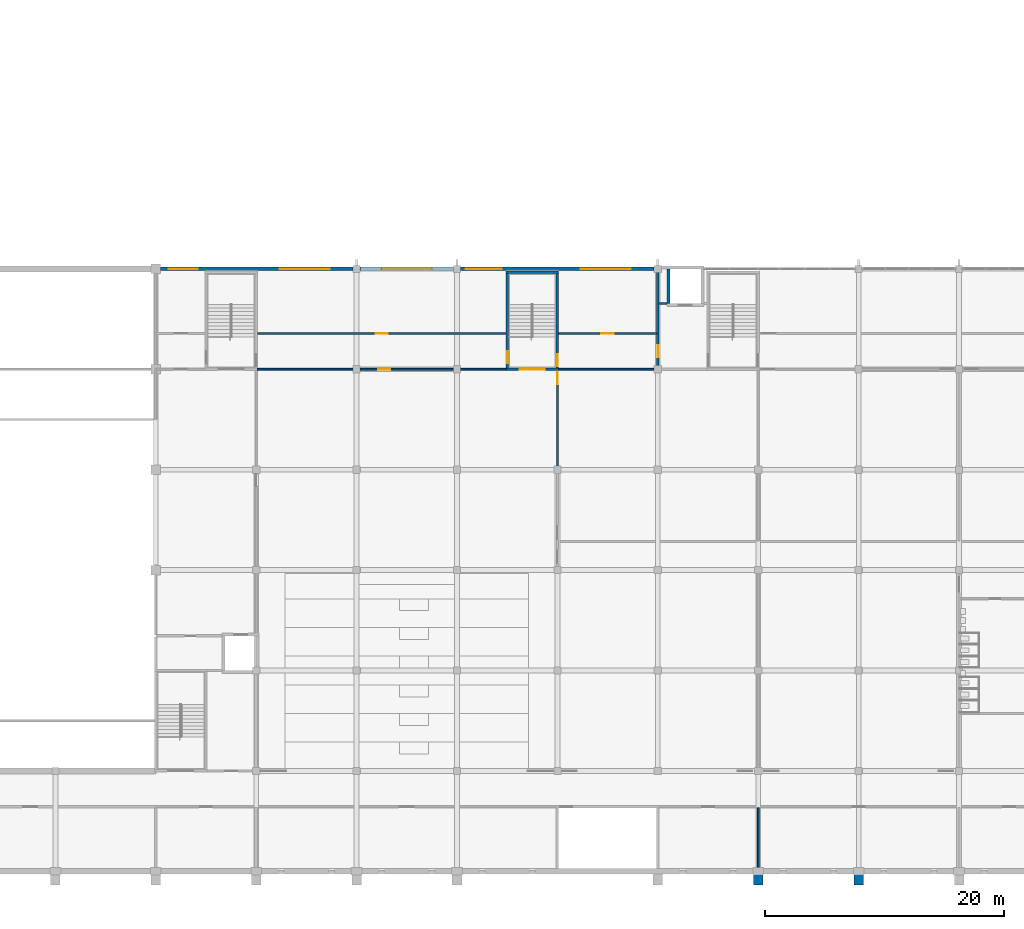
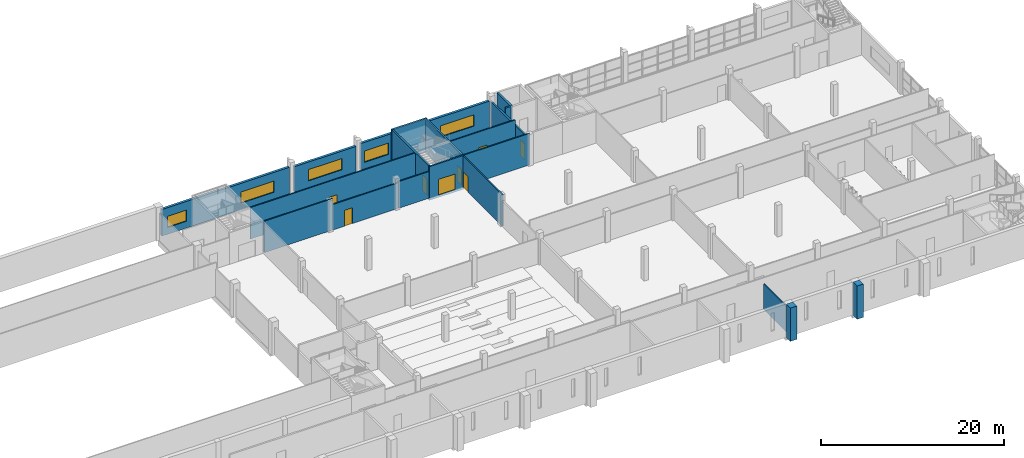
# One storey, part 23 of 56: 20 walls, 8 doors, 5 windows, 13 openings.
"""IFC4 building model written with IfcOpenShell, lengths in metres."""

from ifc_helpers import new_model, si_unit, direction, frame, frame_2d, origin, place, context, subcontext, project, spatial, rectangle, extrude, material, layer, layer_set, type_object, element, fill, save


model = new_model("IFC4")

# Units and contexts
model_context = context("Model", 3, precision=1e-05, world=origin(), true_north=direction((0.0, 1.0)))
body_context = subcontext(model_context, "Body", "Model", "MODEL_VIEW")
ifc_project = project(units=[si_unit("LENGTHUNIT", "METRE"), si_unit("AREAUNIT", "SQUARE_METRE"), si_unit("VOLUMEUNIT", "CUBIC_METRE"), si_unit("PLANEANGLEUNIT", "RADIAN"), si_unit("MASSUNIT", "GRAM", prefix="KILO")], contexts=[model_context])

# Site, building, storey
site_placement = place(None, origin())
site = spatial("IfcSite", under=ifc_project, at=site_placement, CompositionType="ELEMENT")
building_placement = place(site_placement, origin())
building = spatial("IfcBuilding", under=site, at=building_placement, Name="Rulbaag Community and Learning Centre", CompositionType="ELEMENT")
storey_placement = place(building_placement, frame((0.0, 0.0, 9.89990234375)))
storey = spatial("IfcBuildingStorey", under=building, at=storey_placement, Name="L02", CompositionType="ELEMENT", Elevation=9.89990234375)

# Walls
ifc_material_1 = material(Name="Concrete M40", Category="concrete")
ifc_layer_1 = layer(ifc_material_1, 0.800048828125)
ifc_layer_set_1 = layer_set([ifc_layer_1], Name="EW-BTR")
wall_type_1 = type_object("IfcWallType", Name="EW-BTR", PredefinedType="SOLIDWALL", material=ifc_layer_set_1)
for number, where, z_axis, x_axis, name in (
    (1, (134.39990234375, -0.22509765625, -0.25), (0.0, 0.0, 1.0), (0.0, -1.0, 0.0), "Buttress pier"),
    (2, (142.800048828125, -0.22509765625, -0.25), (0.0, 0.0, 1.0), (0.0, -1.0, 0.0), "Buttress pier"),
):
    element("IfcWall", number, at=place(storey_placement, frame(where, z_axis=z_axis, x_axis=x_axis)), inside=storey, type_object=wall_type_1, Name=name, PredefinedType="SOLIDWALL", context=body_context, shape_type="SweptSolid", body=[
        extrude(rectangle(XDim=0.89990234375, YDim=0.800048828125, at=frame_2d((0.449951171875, 0.0))), origin(), (0.0, 0.0, 1.0), 4.4501953125),
    ])

# Wall, openings, windows
ifc_layer_2 = layer(ifc_material_1, 0.300048828125)
ifc_layer_set_2 = layer_set([ifc_layer_2], Name="EW-CONC300")
wall_type_2 = type_object("IfcWallType", Name="EW-CONC300", PredefinedType="STANDARD", material=ifc_layer_set_2)
wall_1_placement = place(storey_placement, frame((84.39990234375, 50.39990234375, 0.0), z_axis=(0.0, 0.0, 1.0), x_axis=(1.0, 0.0, 0.0)))
wall_1 = element("IfcWall", 3, at=wall_1_placement, inside=storey, type_object=wall_type_2, Name="Board-marked concrete cladding wall AN", PredefinedType="STANDARD", context=body_context, shape_type="SweptSolid", body=[
    extrude(rectangle(XDim=16.10009765625, YDim=0.300048828125, at=frame_2d((8.050048828125, 0.0))), origin(), (0.0, 0.0, 1.0), 3.550048828125),
])
opening_1_placement = place(wall_1_placement, frame((0.699951171875, 0.0, 0.89990234375)))
opening_1 = element("IfcOpeningElement", 4, at=opening_1_placement, cuts=wall_1, Name="Opening WN17", PredefinedType="OPENING", context=body_context, shape_type="SweptSolid", body=[
    extrude(rectangle(XDim=2.39990234375, YDim=1.5, at=frame_2d((1.199951171875, 0.75))), frame((0.0, 0.159912109375, 0.0), z_axis=(0.0, -1.0, 0.0), x_axis=(1.0, 0.0, 0.0)), (0.0, 0.0, 1.0), 0.320068359375),
])
opening_2_placement = place(wall_1_placement, frame((9.949951171875, 0.0, 0.89990234375)))
opening_2 = element("IfcOpeningElement", 5, at=opening_2_placement, cuts=wall_1, Name="Opening WN4", PredefinedType="OPENING", context=body_context, shape_type="SweptSolid", body=[
    extrude(rectangle(XDim=4.199951171875, YDim=1.5, at=frame_2d((2.10009765625, 0.75))), frame((0.0, 0.159912109375, 0.0), z_axis=(0.0, -1.0, 0.0), x_axis=(1.0, 0.0, 0.0)), (0.0, 0.0, 1.0), 0.320068359375),
])
ifc_material_2 = material(Name="Aluminium", Category="aluminium")
window_type_1 = type_object("IfcWindowType", Name="WN-24", PartitioningType="DOUBLE_PANEL_VERTICAL", PredefinedType="WINDOW", material=ifc_material_2)
window_1_placement = place(opening_1_placement, origin())
window_1 = element("IfcWindow", 6, at=window_1_placement, inside=storey, type_object=window_type_1, Name="Window WN17", OverallHeight=1.5, OverallWidth=2.39990234375, PartitioningType="SINGLE_PANEL", PredefinedType="WINDOW", context=body_context, shape_type="SweptSolid", body=[
    extrude(rectangle(XDim=2.39990234375, YDim=1.5, at=frame_2d((1.199951171875, 0.75))), frame((0.0, 0.030029296875, 0.0), z_axis=(0.0, -1.0, 0.0), x_axis=(1.0, 0.0, 0.0)), (0.0, 0.0, 1.0), 0.06005859375),
])
fill(opening_1, window_1)
window_type_2 = type_object("IfcWindowType", Name="WN-42", PartitioningType="TRIPLE_PANEL_VERTICAL", PredefinedType="WINDOW", material=ifc_material_2)
window_2_placement = place(opening_2_placement, origin())
window_2 = element("IfcWindow", 7, at=window_2_placement, inside=storey, type_object=window_type_2, Name="Window WN4", OverallHeight=1.5, OverallWidth=4.199951171875, PartitioningType="SINGLE_PANEL", PredefinedType="WINDOW", context=body_context, shape_type="SweptSolid", body=[
    extrude(rectangle(XDim=4.199951171875, YDim=1.5, at=frame_2d((2.10009765625, 0.75))), frame((0.0, 0.030029296875, 0.0), z_axis=(0.0, -1.0, 0.0), x_axis=(1.0, 0.0, 0.0)), (0.0, 0.0, 1.0), 0.06005859375),
])
fill(opening_2, window_2)

# Wall, opening, window
wall_2_placement = place(storey_placement, frame((101.10009765625, 50.39990234375, 0.0), z_axis=(0.0, 0.0, 1.0), x_axis=(1.0, 0.0, 0.0)))
wall_2 = element("IfcWall", 8, at=wall_2_placement, inside=storey, type_object=wall_type_2, Name="Board-marked concrete cladding wall AN", PredefinedType="STANDARD", context=body_context, shape_type="SweptSolid", body=[
    extrude(rectangle(XDim=7.7998046875, YDim=0.300048828125, at=frame_2d((3.89990234375, 0.0))), origin(), (0.0, 0.0, 1.0), 3.400146484375),
])
opening_3_placement = place(wall_2_placement, frame((1.800048828125, 0.0, 0.89990234375)))
opening_3 = element("IfcOpeningElement", 9, at=opening_3_placement, cuts=wall_2, Name="Opening WN4", PredefinedType="OPENING", context=body_context, shape_type="SweptSolid", body=[
    extrude(rectangle(XDim=4.199951171875, YDim=1.5, at=frame_2d((2.10009765625, 0.75))), frame((0.0, 0.159912109375, 0.0), z_axis=(0.0, -1.0, 0.0), x_axis=(1.0, 0.0, 0.0)), (0.0, 0.0, 1.0), 0.320068359375),
])
window_3_placement = place(opening_3_placement, origin())
window_3 = element("IfcWindow", 10, at=window_3_placement, inside=storey, type_object=window_type_2, Name="Window WN4", OverallHeight=1.5, OverallWidth=4.199951171875, PartitioningType="SINGLE_PANEL", PredefinedType="WINDOW", context=body_context, shape_type="SweptSolid", body=[
    extrude(rectangle(XDim=4.199951171875, YDim=1.5, at=frame_2d((2.10009765625, 0.75))), frame((0.0, 0.030029296875, 0.0), z_axis=(0.0, -1.0, 0.0), x_axis=(1.0, 0.0, 0.0)), (0.0, 0.0, 1.0), 0.06005859375),
])
fill(opening_3, window_3)

# Wall, openings, windows
wall_3_placement = place(storey_placement, frame((109.5, 50.39990234375, 0.0), z_axis=(0.0, 0.0, 1.0), x_axis=(1.0, 0.0, 0.0)))
wall_3 = element("IfcWall", 11, at=wall_3_placement, inside=storey, type_object=wall_type_2, Name="Board-marked concrete cladding wall AN", PredefinedType="STANDARD", context=body_context, shape_type="SweptSolid", body=[
    extrude(rectangle(XDim=16.199951171875, YDim=0.300048828125, at=frame_2d((8.10009765625, 0.0))), origin(), (0.0, 0.0, 1.0), 3.550048828125),
])
opening_4_placement = place(wall_3_placement, frame((0.449951171875, 0.0, 0.89990234375)))
opening_4 = element("IfcOpeningElement", 12, at=opening_4_placement, cuts=wall_3, Name="Opening WN3", PredefinedType="OPENING", context=body_context, shape_type="SweptSolid", body=[
    extrude(rectangle(XDim=3.0, YDim=1.5, at=frame_2d((1.5, 0.75))), frame((0.0, 0.159912109375, 0.0), z_axis=(0.0, -1.0, 0.0), x_axis=(1.0, 0.0, 0.0)), (0.0, 0.0, 1.0), 0.320068359375),
])
opening_5_placement = place(wall_3_placement, frame((10.050048828125, 0.0, 0.89990234375)))
opening_5 = element("IfcOpeningElement", 13, at=opening_5_placement, cuts=wall_3, Name="Opening WN4", PredefinedType="OPENING", context=body_context, shape_type="SweptSolid", body=[
    extrude(rectangle(XDim=4.199951171875, YDim=1.5, at=frame_2d((2.10009765625, 0.75))), frame((0.0, 0.159912109375, 0.0), z_axis=(0.0, -1.0, 0.0), x_axis=(1.0, 0.0, 0.0)), (0.0, 0.0, 1.0), 0.320068359375),
])
window_type_3 = type_object("IfcWindowType", Name="WN-30", PartitioningType="TRIPLE_PANEL_VERTICAL", PredefinedType="WINDOW", material=ifc_material_2)
window_4_placement = place(opening_4_placement, origin())
window_4 = element("IfcWindow", 14, at=window_4_placement, inside=storey, type_object=window_type_3, Name="Window WN3", OverallHeight=1.5, OverallWidth=3.0, PartitioningType="SINGLE_PANEL", PredefinedType="WINDOW", context=body_context, shape_type="SweptSolid", body=[
    extrude(rectangle(XDim=3.0, YDim=1.5, at=frame_2d((1.5, 0.75))), frame((0.0, 0.030029296875, 0.0), z_axis=(0.0, -1.0, 0.0), x_axis=(1.0, 0.0, 0.0)), (0.0, 0.0, 1.0), 0.06005859375),
])
fill(opening_4, window_4)
window_5_placement = place(opening_5_placement, origin())
window_5 = element("IfcWindow", 15, at=window_5_placement, inside=storey, type_object=window_type_2, Name="Window WN4", OverallHeight=1.5, OverallWidth=4.199951171875, PartitioningType="SINGLE_PANEL", PredefinedType="WINDOW", context=body_context, shape_type="SweptSolid", body=[
    extrude(rectangle(XDim=4.199951171875, YDim=1.5, at=frame_2d((2.10009765625, 0.75))), frame((0.0, 0.030029296875, 0.0), z_axis=(0.0, -1.0, 0.0), x_axis=(1.0, 0.0, 0.0)), (0.0, 0.0, 1.0), 0.06005859375),
])
fill(opening_5, window_5)

# Wall
ifc_material_3 = material(Name="Concrete blockwork", Category="masonry")
ifc_layer_3 = layer(ifc_material_3, 0.199951171875)
ifc_layer_set_3 = layer_set([ifc_layer_3], Name="FW-200 FIRE WALL 200")
wall_type_3 = type_object("IfcWallType", Name="FW-200 FIRE WALL 200", PredefinedType="SOLIDWALL", material=ifc_layer_set_3)
wall_4_placement = place(storey_placement, frame((126.10009765625, 47.5, 0.0), z_axis=(0.0, 0.0, 1.0), x_axis=(1.0, 0.0, 0.0)))
element("IfcWall", 16, at=wall_4_placement, inside=storey, type_object=wall_type_3, Name="Fire wall L02 36", PredefinedType="SOLIDWALL", context=body_context, shape_type="SweptSolid", body=[
    extrude(rectangle(XDim=0.64990234375, YDim=0.199951171875, at=frame_2d((0.324951171875, 0.0))), origin(), (0.0, 0.0, 1.0), 4.2001953125),
])

# Wall, opening, door
wall_5_placement = place(storey_placement, frame((126.0, 42.10009765625, 0.0), z_axis=(0.0, 0.0, 1.0), x_axis=(0.0, 1.0, 0.0)))
wall_5 = element("IfcWall", 17, at=wall_5_placement, inside=storey, type_object=wall_type_3, Name="Fire wall L02 66", PredefinedType="SOLIDWALL", context=body_context, shape_type="SweptSolid", body=[
    extrude(rectangle(XDim=8.2998046875, YDim=0.199951171875, at=frame_2d((4.14990234375, 0.0))), origin(), (0.0, 0.0, 1.0), 3.400146484375),
])
opening_6_placement = place(wall_5_placement, frame((0.89990234375, 0.0, 0.0)))
opening_6 = element("IfcOpeningElement", 18, at=opening_6_placement, cuts=wall_5, Name="Opening L02-D069", PredefinedType="OPENING", context=body_context, shape_type="SweptSolid", body=[
    extrude(rectangle(XDim=1.0, YDim=2.10009765625, at=frame_2d((0.5, 1.050048828125))), frame((0.0, 0.10986328125, 0.0), z_axis=(0.0, -1.0, 0.0), x_axis=(1.0, 0.0, 0.0)), (0.0, 0.0, 1.0), 0.219970703125),
])
ifc_material_4 = material(Name="Galvanised steel", Category="steel")
door_type_1 = type_object("IfcDoorType", Name="FD-1000 FIRE DOOR 1000 x 2100", OperationType="SINGLE_SWING_LEFT", PredefinedType="DOOR", material=ifc_material_4)
door_1_placement = place(opening_6_placement, origin())
door_1 = element("IfcDoor", 19, at=door_1_placement, inside=storey, type_object=door_type_1, Name="Door L02-D069", OperationType="SINGLE_SWING_LEFT", OverallHeight=2.10009765625, OverallWidth=1.0, PredefinedType="DOOR", context=body_context, shape_type="SweptSolid", body=[
    extrude(rectangle(XDim=1.0, YDim=2.10009765625, at=frame_2d((0.5, 1.050048828125))), frame((0.0, 0.02490234375, 0.0), z_axis=(0.0, -1.0, 0.0), x_axis=(1.0, 0.0, 0.0)), (0.0, 0.0, 1.0), 0.050048828125),
])
fill(opening_6, door_1)

# Wall
ifc_layer_4 = layer(ifc_material_3, 0.14990234375)
ifc_layer_set_4 = layer_set([ifc_layer_4], Name="IP-150 PARTITION 150")
wall_type_4 = type_object("IfcWallType", Name="IP-150 PARTITION 150", PredefinedType="PARTITIONING", material=ifc_layer_set_4)
wall_6_placement = place(storey_placement, frame((92.5, 42.0, 0.0), z_axis=(0.0, 0.0, 1.0), x_axis=(1.0, 0.0, 0.0)))
element("IfcWall", 20, at=wall_6_placement, inside=storey, type_object=wall_type_4, Name="Partition L02 26", PredefinedType="PARTITIONING", context=body_context, shape_type="SweptSolid", body=[
    extrude(rectangle(XDim=8.580078125, YDim=0.14990234375, at=frame_2d((4.2900390625, 0.0))), origin(), (0.0, 0.0, 1.0), 4.2001953125),
])

# Wall, opening, door
wall_7_placement = place(storey_placement, frame((101.080078125, 42.0, 0.0), z_axis=(0.0, 0.0, 1.0), x_axis=(1.0, 0.0, 0.0)))
wall_7 = element("IfcWall", 21, at=wall_7_placement, inside=storey, type_object=wall_type_4, Name="Partition L02 26.2", PredefinedType="PARTITIONING", context=body_context, shape_type="SweptSolid", body=[
    extrude(rectangle(XDim=8.31982421875, YDim=0.14990234375, at=frame_2d((4.159912109375, 0.0))), origin(), (0.0, 0.0, 1.0), 3.400146484375),
])
opening_7_placement = place(wall_7_placement, frame((1.52001953125, 0.0, 0.0)))
opening_7 = element("IfcOpeningElement", 22, at=opening_7_placement, cuts=wall_7, Name="Opening L02-D057", PredefinedType="OPENING", context=body_context, shape_type="SweptSolid", body=[
    extrude(rectangle(XDim=1.0, YDim=2.10009765625, at=frame_2d((0.5, 1.050048828125))), frame((0.0, 0.0849609375, 0.0), z_axis=(0.0, -1.0, 0.0), x_axis=(1.0, 0.0, 0.0)), (0.0, 0.0, 1.0), 0.169921875),
])
ifc_material_5 = material(Name="Timber", Category="wood")
door_type_2 = type_object("IfcDoorType", Name="D-1000 DOOR 1000 x 2100", OperationType="SINGLE_SWING_LEFT", PredefinedType="DOOR", material=ifc_material_5)
door_2_placement = place(opening_7_placement, origin())
door_2 = element("IfcDoor", 23, at=door_2_placement, inside=storey, type_object=door_type_2, Name="Door L02-D057", OperationType="SINGLE_SWING_RIGHT", OverallHeight=2.10009765625, OverallWidth=1.0, PredefinedType="DOOR", context=body_context, shape_type="SweptSolid", body=[
    extrude(rectangle(XDim=1.0, YDim=2.10009765625, at=frame_2d((0.5, 1.050048828125))), frame((0.0, 0.02490234375, 0.0), z_axis=(0.0, -1.0, 0.0), x_axis=(1.0, 0.0, 0.0)), (0.0, 0.0, 1.0), 0.050048828125),
])
fill(opening_7, door_2)

# Walls
wall_8_placement = place(storey_placement, frame((109.39990234375, 42.0, 0.0), z_axis=(0.0, 0.0, 1.0), x_axis=(1.0, 0.0, 0.0)))
element("IfcWall", 24, at=wall_8_placement, inside=storey, type_object=wall_type_4, Name="Partition L02 26.3", PredefinedType="PARTITIONING", context=body_context, shape_type="SweptSolid", body=[
    extrude(rectangle(XDim=3.900146484375, YDim=0.14990234375, at=frame_2d((1.9501953125, 0.0))), origin(), (0.0, 0.0, 1.0), 3.550048828125),
])
wall_9_placement = place(storey_placement, frame((117.699951171875, 42.0, 0.0), z_axis=(0.0, 0.0, 1.0), x_axis=(1.0, 0.0, 0.0)))
element("IfcWall", 25, at=wall_9_placement, inside=storey, type_object=wall_type_4, Name="Partition L02 27", PredefinedType="PARTITIONING", context=body_context, shape_type="SweptSolid", body=[
    extrude(rectangle(XDim=8.300048828125, YDim=0.14990234375, at=frame_2d((4.14990234375, 0.0))), origin(), (0.0, 0.0, 1.0), 4.2001953125),
])

# Wall, opening, door
wall_10_placement = place(storey_placement, frame((92.5, 45.0, 0.0), z_axis=(0.0, 0.0, 1.0), x_axis=(1.0, 0.0, 0.0)))
wall_10 = element("IfcWall", 26, at=wall_10_placement, inside=storey, type_object=wall_type_4, Name="Partition L02 33", PredefinedType="PARTITIONING", context=body_context, shape_type="SweptSolid", body=[
    extrude(rectangle(XDim=20.800048828125, YDim=0.14990234375, at=frame_2d((10.39990234375, 0.0))), origin(), (0.0, 0.0, 1.0), 4.2001953125),
])
opening_8_placement = place(wall_10_placement, frame((9.89990234375, 0.0, 0.0)))
opening_8 = element("IfcOpeningElement", 27, at=opening_8_placement, cuts=wall_10, Name="Opening L02-D056", PredefinedType="OPENING", context=body_context, shape_type="SweptSolid", body=[
    extrude(rectangle(XDim=1.0, YDim=2.10009765625, at=frame_2d((0.5, 1.050048828125))), frame((0.0, 0.0849609375, 0.0), z_axis=(0.0, -1.0, 0.0), x_axis=(1.0, 0.0, 0.0)), (0.0, 0.0, 1.0), 0.169921875),
])
door_3_placement = place(opening_8_placement, origin())
door_3 = element("IfcDoor", 28, at=door_3_placement, inside=storey, type_object=door_type_2, Name="Door L02-D056", OperationType="SINGLE_SWING_RIGHT", OverallHeight=2.10009765625, OverallWidth=1.0, PredefinedType="DOOR", context=body_context, shape_type="SweptSolid", body=[
    extrude(rectangle(XDim=1.0, YDim=2.10009765625, at=frame_2d((0.5, 1.050048828125))), frame((0.0, 0.02490234375, 0.0), z_axis=(0.0, -1.0, 0.0), x_axis=(1.0, 0.0, 0.0)), (0.0, 0.0, 1.0), 0.050048828125),
])
fill(opening_8, door_3)

wall_11_placement = place(storey_placement, frame((117.699951171875, 45.0, 0.0), z_axis=(0.0, 0.0, 1.0), x_axis=(1.0, 0.0, 0.0)))
wall_11 = element("IfcWall", 29, at=wall_11_placement, inside=storey, type_object=wall_type_4, Name="Partition L02 34", PredefinedType="PARTITIONING", context=body_context, shape_type="SweptSolid", body=[
    extrude(rectangle(XDim=8.199951171875, YDim=0.14990234375, at=frame_2d((4.10009765625, 0.0))), origin(), (0.0, 0.0, 1.0), 4.2001953125),
])
opening_9_placement = place(wall_11_placement, frame((3.574951171875, 0.0, 0.0)))
opening_9 = element("IfcOpeningElement", 30, at=opening_9_placement, cuts=wall_11, Name="Opening L02-D068", PredefinedType="OPENING", context=body_context, shape_type="SweptSolid", body=[
    extrude(rectangle(XDim=1.050048828125, YDim=2.10009765625, at=frame_2d((0.52490234375, 1.050048828125))), frame((0.0, 0.0849609375, 0.0), z_axis=(0.0, -1.0, 0.0), x_axis=(1.0, 0.0, 0.0)), (0.0, 0.0, 1.0), 0.169921875),
])
door_type_3 = type_object("IfcDoorType", Name="D-1050 GLAZED MEETING ROOM DOOR 1050 x 2100", OperationType="SINGLE_SWING_LEFT", PredefinedType="DOOR", material=ifc_material_5)
door_4_placement = place(opening_9_placement, origin())
door_4 = element("IfcDoor", 31, at=door_4_placement, inside=storey, type_object=door_type_3, Name="Door L02-D068", OperationType="SINGLE_SWING_RIGHT", OverallHeight=2.10009765625, OverallWidth=1.050048828125, PredefinedType="DOOR", context=body_context, shape_type="SweptSolid", body=[
    extrude(rectangle(XDim=1.050048828125, YDim=2.10009765625, at=frame_2d((0.52490234375, 1.050048828125))), frame((0.0, 0.02490234375, 0.0), z_axis=(0.0, -1.0, 0.0), x_axis=(1.0, 0.0, 0.0)), (0.0, 0.0, 1.0), 0.050048828125),
])
fill(opening_9, door_4)

wall_12_placement = place(storey_placement, frame((117.60009765625, 33.320068359375, 0.0), z_axis=(0.0, 0.0, 1.0), x_axis=(0.0, 1.0, 0.0)))
wall_12 = element("IfcWall", 32, at=wall_12_placement, inside=storey, type_object=wall_type_4, Name="Partition L02 64.2", PredefinedType="PARTITIONING", context=body_context, shape_type="SweptSolid", body=[
    extrude(rectangle(XDim=8.780029296875, YDim=0.14990234375, at=frame_2d((4.39013671875, 0.0))), origin(), (0.0, 0.0, 1.0), 4.2001953125),
])
opening_10_placement = place(wall_12_placement, frame((7.429931640625, 0.0, 0.0)))
opening_10 = element("IfcOpeningElement", 33, at=opening_10_placement, cuts=wall_12, Name="Opening L02-D064", PredefinedType="OPENING", context=body_context, shape_type="SweptSolid", body=[
    extrude(rectangle(XDim=1.050048828125, YDim=2.10009765625, at=frame_2d((0.52490234375, 1.050048828125))), frame((0.0, 0.0849609375, 0.0), z_axis=(0.0, -1.0, 0.0), x_axis=(1.0, 0.0, 0.0)), (0.0, 0.0, 1.0), 0.169921875),
])
door_5_placement = place(opening_10_placement, origin())
door_5 = element("IfcDoor", 34, at=door_5_placement, inside=storey, type_object=door_type_3, Name="Door L02-D064", OperationType="SINGLE_SWING_LEFT", OverallHeight=2.10009765625, OverallWidth=1.050048828125, PredefinedType="DOOR", context=body_context, shape_type="SweptSolid", body=[
    extrude(rectangle(XDim=1.050048828125, YDim=2.10009765625, at=frame_2d((0.52490234375, 1.050048828125))), frame((0.0, 0.02490234375, 0.0), z_axis=(0.0, -1.0, 0.0), x_axis=(1.0, 0.0, 0.0)), (0.0, 0.0, 1.0), 0.050048828125),
])
fill(opening_10, door_5)

# Walls
wall_13_placement = place(storey_placement, frame((134.39990234375, 0.22509765625, 0.0), z_axis=(0.0, 0.0, 1.0), x_axis=(0.0, 1.0, 0.0)))
element("IfcWall", 35, at=wall_13_placement, inside=storey, type_object=wall_type_4, Name="Partition L02 68", PredefinedType="PARTITIONING", context=body_context, shape_type="SweptSolid", body=[
    extrude(rectangle(XDim=5.099853515625, YDim=0.14990234375, at=frame_2d((2.5498046875, 0.0))), origin(), (0.0, 0.0, 1.0), 3.400146484375),
])
ifc_layer_5 = layer(ifc_material_1, 0.25)
ifc_layer_set_5 = layer_set([ifc_layer_5], Name="W8 Lift shaft wall 250 Concrete M40")
wall_type_5 = type_object("IfcWallType", Name="W8 Lift shaft wall 250 Concrete M40", PredefinedType="SHEAR", material=ifc_layer_set_5)
wall_14_placement = place(storey_placement, frame((126.875, 47.5, -0.25), z_axis=(0.0, 0.0, 1.0), x_axis=(0.0, 1.0, 0.0)))
element("IfcWall", 36, at=wall_14_placement, inside=storey, type_object=wall_type_5, Name="WL-LH3-W-L02", PredefinedType="SHEAR", context=body_context, shape_type="SweptSolid", body=[
    extrude(rectangle(XDim=2.89990234375, YDim=0.25, at=frame_2d((1.449951171875, 0.0))), origin(), (0.0, 0.0, 1.0), 4.4501953125),
])

# Wall, opening, door
ifc_layer_6 = layer(ifc_material_1, 0.199951171875)
ifc_layer_set_6 = layer_set([ifc_layer_6], Name="WSE Stair enclosure wall 200 Concrete M40")
wall_type_6 = type_object("IfcWallType", Name="WSE Stair enclosure wall 200 Concrete M40", PredefinedType="SHEAR", material=ifc_layer_set_6)
wall_15_placement = place(storey_placement, frame((113.300048828125, 42.0, -0.2998046875), z_axis=(0.0, 0.0, 1.0), x_axis=(1.0, 0.0, 0.0)))
wall_15 = element("IfcWall", 37, at=wall_15_placement, inside=storey, type_object=wall_type_6, Name="Stair enclosure wall SH7 S L02", PredefinedType="SHEAR", context=body_context, shape_type="SweptSolid", body=[
    extrude(rectangle(XDim=4.39990234375, YDim=0.199951171875, at=frame_2d((2.199951171875, 0.0))), origin(), (0.0, 0.0, 1.0), 4.5),
])
opening_11_placement = place(wall_15_placement, frame((1.14990234375, 0.0, 0.300048828125)))
opening_11 = element("IfcOpeningElement", 38, at=opening_11_placement, cuts=wall_15, Name="Opening L02-D060", PredefinedType="OPENING", context=body_context, shape_type="SweptSolid", body=[
    extrude(rectangle(XDim=2.10009765625, YDim=2.10009765625, at=frame_2d((1.050048828125, 1.050048828125))), frame((0.0, 0.10986328125, 0.0), z_axis=(0.0, -1.0, 0.0), x_axis=(1.0, 0.0, 0.0)), (0.0, 0.0, 1.0), 0.219970703125),
])
door_type_4 = type_object("IfcDoorType", Name="FD-2100 FIRE DOOR 2100 x 2100", OperationType="DOUBLE_DOOR_SINGLE_SWING", PredefinedType="DOOR", material=ifc_material_4)
door_6_placement = place(opening_11_placement, origin())
door_6 = element("IfcDoor", 39, at=door_6_placement, inside=storey, type_object=door_type_4, Name="Door L02-D060", OperationType="DOUBLE_DOOR_SINGLE_SWING", OverallHeight=2.10009765625, OverallWidth=2.10009765625, PredefinedType="DOOR", context=body_context, shape_type="SweptSolid", body=[
    extrude(rectangle(XDim=2.10009765625, YDim=2.10009765625, at=frame_2d((1.050048828125, 1.050048828125))), frame((0.0, 0.02490234375, 0.0), z_axis=(0.0, -1.0, 0.0), x_axis=(1.0, 0.0, 0.0)), (0.0, 0.0, 1.0), 0.050048828125),
])
fill(opening_11, door_6)

# Wall
wall_16_placement = place(storey_placement, frame((113.300048828125, 50.125, -0.2998046875), z_axis=(0.0, 0.0, 1.0), x_axis=(1.0, 0.0, 0.0)))
element("IfcWall", 40, at=wall_16_placement, inside=storey, type_object=wall_type_6, Name="Stair enclosure wall SH7 N L02", PredefinedType="SHEAR", context=body_context, shape_type="SweptSolid", body=[
    extrude(rectangle(XDim=4.39990234375, YDim=0.199951171875, at=frame_2d((2.199951171875, 0.0))), origin(), (0.0, 0.0, 1.0), 4.5),
])

# Wall, opening, door
wall_17_placement = place(storey_placement, frame((113.39990234375, 42.10009765625, -0.2998046875), z_axis=(0.0, 0.0, 1.0), x_axis=(0.0, 1.0, 0.0)))
wall_17 = element("IfcWall", 41, at=wall_17_placement, inside=storey, type_object=wall_type_6, Name="Stair enclosure wall SH7 W L02", PredefinedType="SHEAR", context=body_context, shape_type="SweptSolid", body=[
    extrude(rectangle(XDim=7.9248046875, YDim=0.199951171875, at=frame_2d((3.96240234375, 0.0))), origin(), (0.0, 0.0, 1.0), 4.5),
])
opening_12_placement = place(wall_17_placement, frame((0.39990234375, 0.0, 0.300048828125)))
opening_12 = element("IfcOpeningElement", 42, at=opening_12_placement, cuts=wall_17, Name="Opening L02-D059", PredefinedType="OPENING", context=body_context, shape_type="SweptSolid", body=[
    extrude(rectangle(XDim=1.0, YDim=2.10009765625, at=frame_2d((0.5, 1.050048828125))), frame((0.0, 0.10986328125, 0.0), z_axis=(0.0, -1.0, 0.0), x_axis=(1.0, 0.0, 0.0)), (0.0, 0.0, 1.0), 0.219970703125),
])
door_7_placement = place(opening_12_placement, origin())
door_7 = element("IfcDoor", 43, at=door_7_placement, inside=storey, type_object=door_type_1, Name="Door L02-D059", OperationType="SINGLE_SWING_LEFT", OverallHeight=2.10009765625, OverallWidth=1.0, PredefinedType="DOOR", context=body_context, shape_type="SweptSolid", body=[
    extrude(rectangle(XDim=1.0, YDim=2.10009765625, at=frame_2d((0.5, 1.050048828125))), frame((0.0, 0.02490234375, 0.0), z_axis=(0.0, -1.0, 0.0), x_axis=(1.0, 0.0, 0.0)), (0.0, 0.0, 1.0), 0.050048828125),
])
fill(opening_12, door_7)

wall_18_placement = place(storey_placement, frame((117.60009765625, 42.10009765625, -0.2998046875), z_axis=(0.0, 0.0, 1.0), x_axis=(0.0, 1.0, 0.0)))
wall_18 = element("IfcWall", 44, at=wall_18_placement, inside=storey, type_object=wall_type_6, Name="Stair enclosure wall SH7 E L02", PredefinedType="SHEAR", context=body_context, shape_type="SweptSolid", body=[
    extrude(rectangle(XDim=7.9248046875, YDim=0.199951171875, at=frame_2d((3.96240234375, 0.0))), origin(), (0.0, 0.0, 1.0), 4.5),
])
opening_13_placement = place(wall_18_placement, frame((0.14990234375, 0.0, 0.300048828125)))
opening_13 = element("IfcOpeningElement", 45, at=opening_13_placement, cuts=wall_18, Name="Opening L02-D065", PredefinedType="OPENING", context=body_context, shape_type="SweptSolid", body=[
    extrude(rectangle(XDim=1.0, YDim=2.10009765625, at=frame_2d((0.5, 1.050048828125))), frame((0.0, 0.10986328125, 0.0), z_axis=(0.0, -1.0, 0.0), x_axis=(1.0, 0.0, 0.0)), (0.0, 0.0, 1.0), 0.219970703125),
])
door_8_placement = place(opening_13_placement, origin())
door_8 = element("IfcDoor", 46, at=door_8_placement, inside=storey, type_object=door_type_1, Name="Door L02-D065", OperationType="SINGLE_SWING_RIGHT", OverallHeight=2.10009765625, OverallWidth=1.0, PredefinedType="DOOR", context=body_context, shape_type="SweptSolid", body=[
    extrude(rectangle(XDim=1.0, YDim=2.10009765625, at=frame_2d((0.5, 1.050048828125))), frame((0.0, 0.02490234375, 0.0), z_axis=(0.0, -1.0, 0.0), x_axis=(1.0, 0.0, 0.0)), (0.0, 0.0, 1.0), 0.050048828125),
])
fill(opening_13, door_8)

save(model, "model.ifc")
